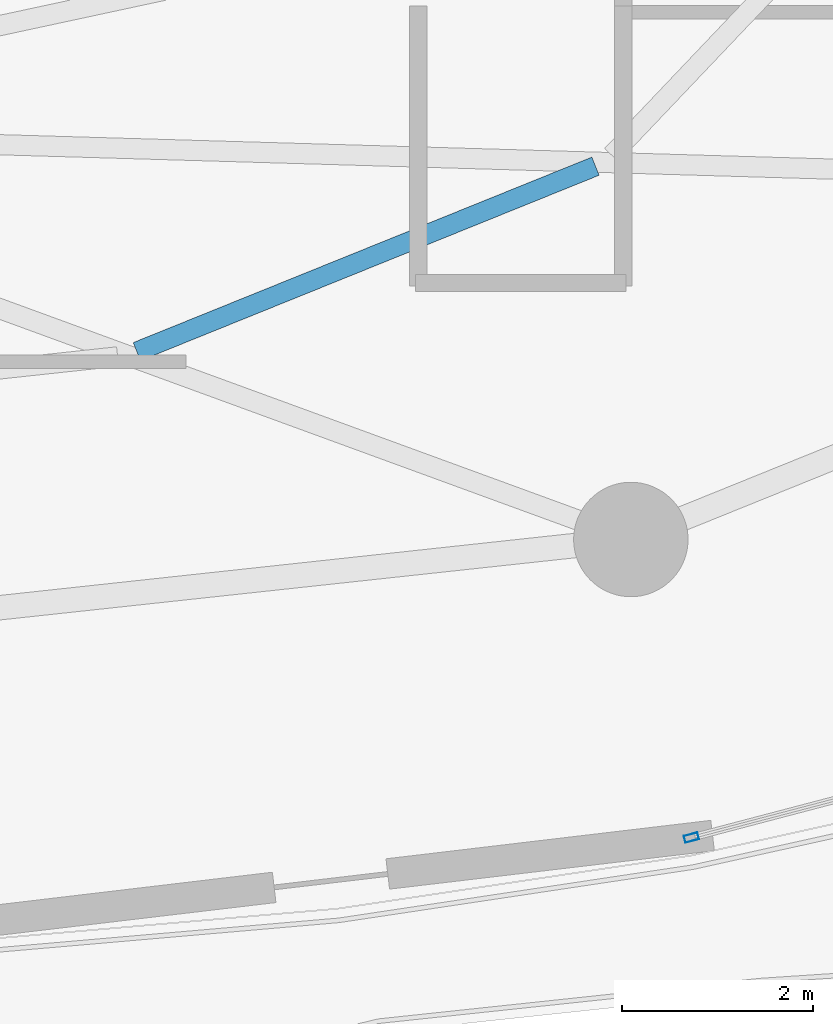
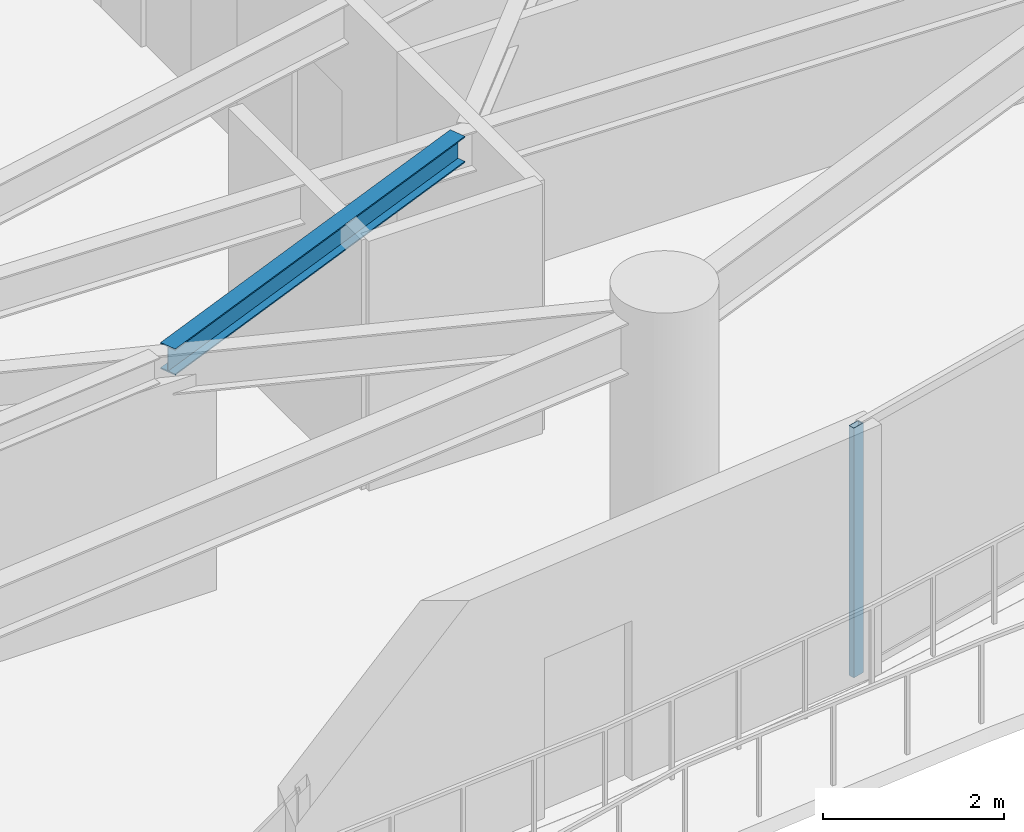
# One storey, part 12 of 34: 1 beam, 1 member, 1 element without a shape of its own.
"""IFC4 building model written with IfcOpenShell, lengths in metres."""

from ifc_helpers import new_model, si_unit, direction, frame, origin, origin_2d, place, context, subcontext, project, spatial, hollow_rectangle, i_section, extrude, material, layer, layer_set, material_profile, profile_set, type_object, element, aggregate, save


model = new_model("IFC4")

# Units and contexts
model_context = context("Model", 3, precision=1e-05, world=origin(), true_north=direction((0.0, 1.0)))
body_context = subcontext(model_context, "Body", "Model", "MODEL_VIEW")
ifc_project = project(units=[si_unit("LENGTHUNIT", "METRE"), si_unit("AREAUNIT", "SQUARE_METRE"), si_unit("VOLUMEUNIT", "CUBIC_METRE"), si_unit("PLANEANGLEUNIT", "RADIAN"), si_unit("MASSUNIT", "GRAM", prefix="KILO")], contexts=[model_context])

# Site, building, storey
site_placement = place(None, origin())
site = spatial("IfcSite", under=ifc_project, at=site_placement, CompositionType="ELEMENT")
building_placement = place(site_placement, origin())
building = spatial("IfcBuilding", under=site, at=building_placement, Name="Kazevale Care Tower and Concert Hall", CompositionType="ELEMENT")
storey_placement = place(building_placement, frame((0.0, 0.0, 174.60009765625)))
storey = spatial("IfcBuildingStorey", under=building, at=storey_placement, Name="L46", CompositionType="ELEMENT", Elevation=174.60009765625)

# Curtain wall, member
ifc_material_1 = material(Name="Aluminium 6063-T6 and Low-E Glass", Category="aluminium")
ifc_layer = layer(ifc_material_1, 0.179931640625)
ifc_layer_set = layer_set([ifc_layer], Name="Aluminium 6063-T6 and Low-E Glass")
curtain_wall_type = type_object("IfcCurtainWallType", Name="Sheltered Concave Balcony Curtain Wall CW-5", PredefinedType="NOTDEFINED", material=ifc_layer_set)
curtain_wall_placement = place(storey_placement, origin())
curtain_wall = element("IfcCurtainWall", 1, at=curtain_wall_placement, inside=storey, type_object=curtain_wall_type, Name="cw:L46:f04", PredefinedType="NOTDEFINED")
ifc_material_2 = material(Name="Aluminium 6063-T6", Category="aluminium")
ifc_material_profile_1 = material_profile(ifc_material_2, hollow_rectangle(XDim=0.074951171875, YDim=0.14990234375, WallThickness=0.00390625, at=origin_2d()), Name="ALU75x150x4")
ifc_profile_set_1 = profile_set([ifc_material_profile_1], Name="Aluminium 6063-T6")
member_type = type_object("IfcMemberType", Name="CW-5 Mullion ALU75x150x4", PredefinedType="MULLION", material=ifc_profile_set_1)
member_placement = place(storey_placement, frame((56.365234375, 16.18359375, 0.0), z_axis=(0.0, 0.0, 1.0), x_axis=(0.254238458229, -0.967141564797, 0.0)))
member = element("IfcMember", 2, at=member_placement, type_object=member_type, Name="CW-5 mullion 2", PredefinedType="MULLION", context=body_context, shape_type="SweptSolid", body=[
    extrude(hollow_rectangle(XDim=0.074951171875, YDim=0.14990234375, WallThickness=0.00390625, at=origin_2d()), origin(), (0.0, 0.0, 1.0), 3.35986328125),
])
aggregate(curtain_wall, [member])

# Beam
ifc_material_3 = material(Name="Steel ASTM A572 Gr 50", Category="steel")
ifc_material_profile_2 = material_profile(ifc_material_3, i_section(OverallWidth=0.205078125, OverallDepth=0.35400390625, WebThickness=0.009521484375, FlangeThickness=0.016845703125, at=origin_2d()), Name="W360x79")
ifc_profile_set_2 = profile_set([ifc_material_profile_2], Name="Steel ASTM A572 Gr 50")
beam_type = type_object("IfcBeamType", Name="Secondary Floor Joist W360x79", PredefinedType="JOIST", material=ifc_profile_set_2)
beam_placement = place(storey_placement, frame((50.549072265625, 21.280029296875, 3.182861328125), z_axis=(0.927064833216, 0.374901046964, 0.0), x_axis=(-0.374901046964, 0.927064833216, 0.0)))
element("IfcBeam", 3, at=beam_placement, inside=storey, type_object=beam_type, Name="beam:L46:joist:14", PredefinedType="JOIST", context=body_context, shape_type="SweptSolid", body=[
    extrude(i_section(OverallWidth=0.205078125, OverallDepth=0.35400390625, WebThickness=0.009521484375, FlangeThickness=0.016845703125, at=origin_2d()), origin(), (0.0, 0.0, 1.0), 5.188232421875),
])

save(model, "model.ifc")
